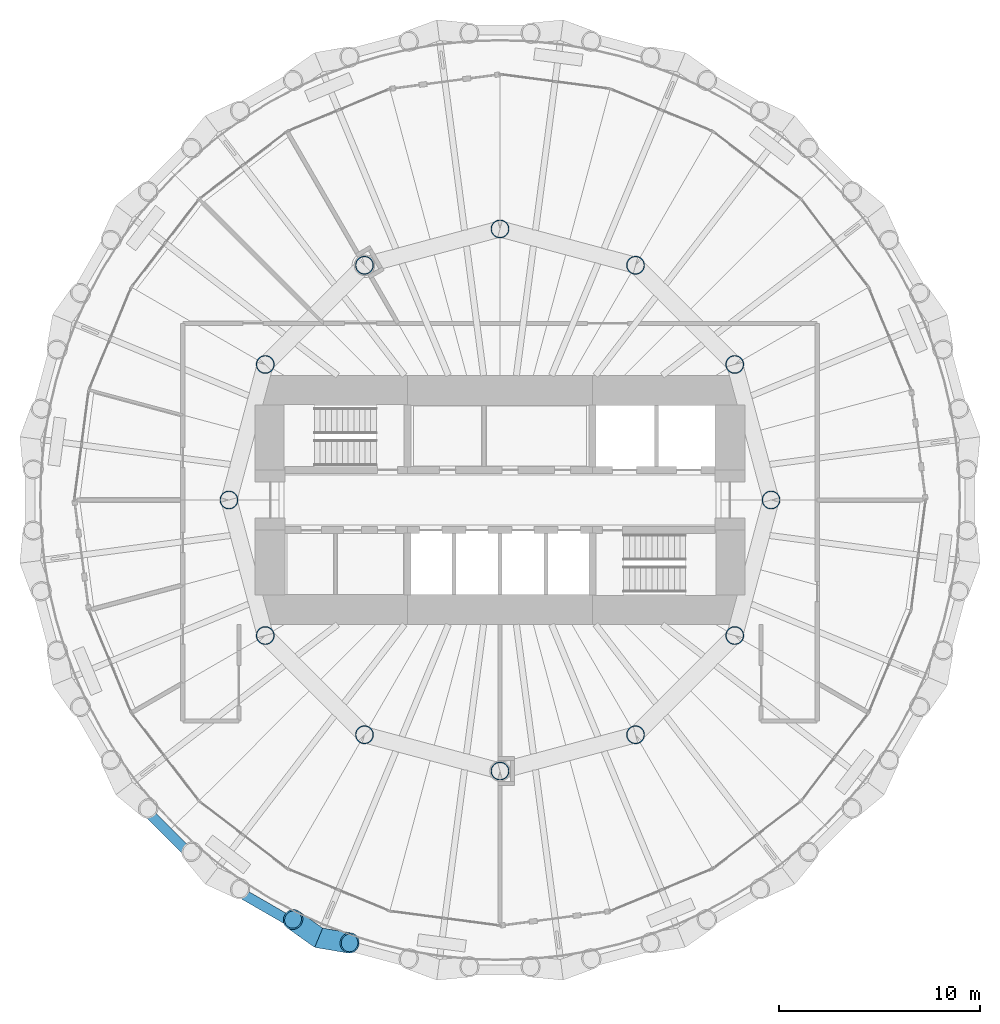
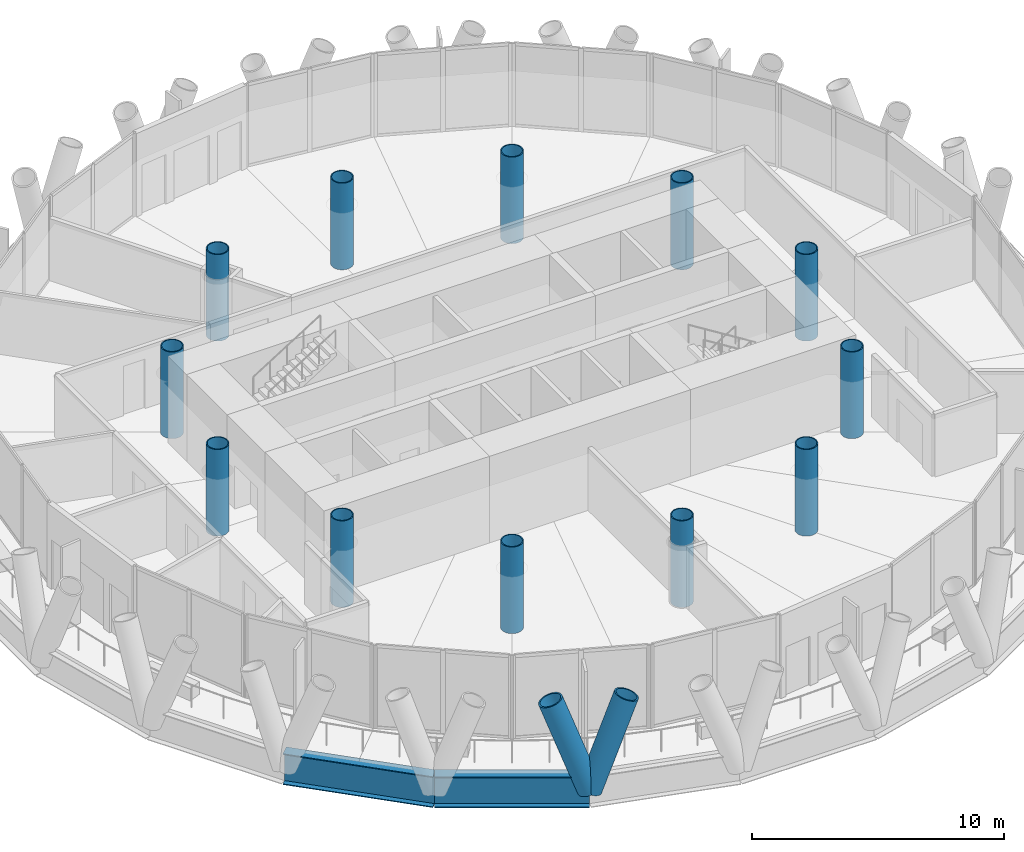
# One storey, part 1 of 14: 12 columns, 2 beams, 2 members.
"""IFC4 building model written with IfcOpenShell, lengths in metres."""

from ifc_helpers import new_model, si_unit, direction, frame, origin, origin_2d, place, context, subcontext, project, spatial, hollow_circle, i_section, extrude, material, material_profile, profile_set, type_object, element, save


model = new_model("IFC4")

# Units and contexts
model_context = context("Model", 3, precision=1e-05, world=origin(), true_north=direction((0.0, 1.0)))
body_context = subcontext(model_context, "Body", "Model", "MODEL_VIEW")
ifc_project = project(units=[si_unit("LENGTHUNIT", "METRE"), si_unit("AREAUNIT", "SQUARE_METRE"), si_unit("VOLUMEUNIT", "CUBIC_METRE"), si_unit("PLANEANGLEUNIT", "RADIAN"), si_unit("MASSUNIT", "GRAM", prefix="KILO")], contexts=[model_context])

# Site, building, storey
site_placement = place(None, origin())
site = spatial("IfcSite", under=ifc_project, at=site_placement, CompositionType="ELEMENT")
building_placement = place(site_placement, origin())
building = spatial("IfcBuilding", under=site, at=building_placement, Name="Qaws Media Tower", CompositionType="ELEMENT")
storey_placement = place(building_placement, frame((0.0, 0.0, 202.39990234375)))
storey = spatial("IfcBuildingStorey", under=building, at=storey_placement, Name="L46", CompositionType="ELEMENT", Elevation=202.39990234375)

# Columns
ifc_material_1 = material(Name="Steel S460", Category="steel")
ifc_material_profile_1 = material_profile(ifc_material_1, hollow_circle(Radius=0.45703125, WallThickness=0.044921875, at=origin_2d()), Name="CHS 914x45")
ifc_profile_set_1 = profile_set([ifc_material_profile_1], Name="Steel S460")
column_type = type_object("IfcColumnType", Name="Inner column CHS 914x45", PredefinedType="COLUMN", material=ifc_profile_set_1)
for number, where, z_axis, x_axis, name in (
    (1, (73.5, 50.0, 0.0), (0.0, 0.0, 1.0), (1.0, 0.0, 0.0), "C3 inner column I01 L46"),
    (2, (71.69140625, 56.75, 0.0), (0.0, 0.0, 1.0), (1.0, 0.0, 0.0), "C3 inner column I02 L46"),
    (3, (66.75, 61.69140625, 0.0), (0.0, 0.0, 1.0), (1.0, 0.0, 0.0), "C3 inner column I03 L46"),
    (4, (60.0, 63.5, 0.0), (0.0, 0.0, 1.0), (1.0, 0.0, 0.0), "C3 inner column I04 L46"),
    (5, (53.25, 61.69140625, 0.0), (0.0, 0.0, 1.0), (1.0, 0.0, 0.0), "C3 inner column I05 L46"),
    (6, (48.30859375, 56.75, 0.0), (0.0, 0.0, 1.0), (1.0, 0.0, 0.0), "C3 inner column I06 L46"),
    (7, (46.5, 50.0, 0.0), (0.0, 0.0, 1.0), (1.0, 0.0, 0.0), "C3 inner column I07 L46"),
    (8, (48.30859375, 43.25, 0.0), (0.0, 0.0, 1.0), (1.0, 0.0, 0.0), "C3 inner column I08 L46"),
    (9, (53.25, 38.30859375, 0.0), (0.0, 0.0, 1.0), (1.0, 0.0, 0.0), "C3 inner column I09 L46"),
    (10, (60.0, 36.5, 0.0), (0.0, 0.0, 1.0), (1.0, 0.0, 0.0), "C3 inner column I10 L46"),
    (11, (66.75, 38.30859375, 0.0), (0.0, 0.0, 1.0), (1.0, 0.0, 0.0), "C3 inner column I11 L46"),
    (12, (71.69140625, 43.25, 0.0), (0.0, 0.0, 1.0), (1.0, 0.0, 0.0), "C3 inner column I12 L46"),
):
    element("IfcColumn", number, at=place(storey_placement, frame(where, z_axis=z_axis, x_axis=x_axis)), inside=storey, type_object=column_type, Name=name, PredefinedType="COLUMN", context=body_context, shape_type="SweptSolid", body=[
        extrude(hollow_circle(Radius=0.45703125, WallThickness=0.044921875, at=origin_2d()), origin(), (0.0, 0.0, 1.0), 4.2001953125),
    ])

# Members
ifc_material_2 = material(Name="Steel S460", Category="steel")
ifc_material_profile_2 = material_profile(ifc_material_2, hollow_circle(Radius=0.508056640625, WallThickness=0.070068359375, at=origin_2d()), Name="CHS 1016x70")
ifc_profile_set_2 = profile_set([ifc_material_profile_2], Name="Steel S460")
member_type = type_object("IfcMemberType", Name="Diagrid member CHS 1016x70", PredefinedType="USERDEFINED", material=ifc_profile_set_2)
for number, where, z_axis, x_axis, name in (
    (13, (50.96875, 28.196533203125, -0.909912109375), (0.34402209257, -0.058017977607, 0.937167388516), (0.166297781756, 0.986075579143, 0.0), "DG3 diagrid L46 A17"),
    (14, (50.96875, 28.196533203125, -0.909912109375), (-0.284313871152, 0.202217491802, 0.93716258391), (-0.579597527467, -0.814902881425, 0.0), "DG3 diagrid L46 B17"),
):
    element("IfcMember", number, at=place(storey_placement, frame(where, z_axis=z_axis, x_axis=x_axis)), inside=storey, type_object=member_type, Name=name, ObjectType="DIAGRID", PredefinedType="USERDEFINED", context=body_context, shape_type="SweptSolid", body=[
        extrude(hollow_circle(Radius=0.508056640625, WallThickness=0.070068359375, at=origin_2d()), origin(), (0.0, 0.0, 1.0), 4.4814453125),
    ])

# Beams
ifc_material_3 = material(Name="Steel S460", Category="steel")
ifc_material_profile_3 = material_profile(ifc_material_3, i_section(OverallWidth=0.5, OverallDepth=1.5, WebThickness=0.02001953125, FlangeThickness=0.0400390625, at=origin_2d()), Name="PG 1500x500")
ifc_profile_set_3 = profile_set([ifc_material_profile_3], Name="Steel S460")
beam_type = type_object("IfcBeamType", Name="Edge ring beam PG 1500x500", PredefinedType="BEAM", material=ifc_profile_set_3)
for number, where, z_axis, x_axis, name in (
    (15, (41.27685546875, 35.63330078125, -0.909912109375), (0.707106781187, -0.707106781187, 0.0), (0.707106781187, 0.707106781187, 0.0), "RB4 edge ring beam L46-15"),
    (16, (45.63330078125, 31.27685546875, -0.909912109375), (0.866032486833, -0.499987731599, 0.0), (0.499987731599, 0.866032486833, 0.0), "RB4 edge ring beam L46-16"),
):
    element("IfcBeam", number, at=place(storey_placement, frame(where, z_axis=z_axis, x_axis=x_axis)), inside=storey, type_object=beam_type, Name=name, PredefinedType="BEAM", context=body_context, shape_type="SweptSolid", body=[
        extrude(i_section(OverallWidth=0.5, OverallDepth=1.5, WebThickness=0.02001953125, FlangeThickness=0.0400390625, at=origin_2d()), origin(), (0.0, 0.0, 1.0), 6.160888671875),
    ])

save(model, "model.ifc")
